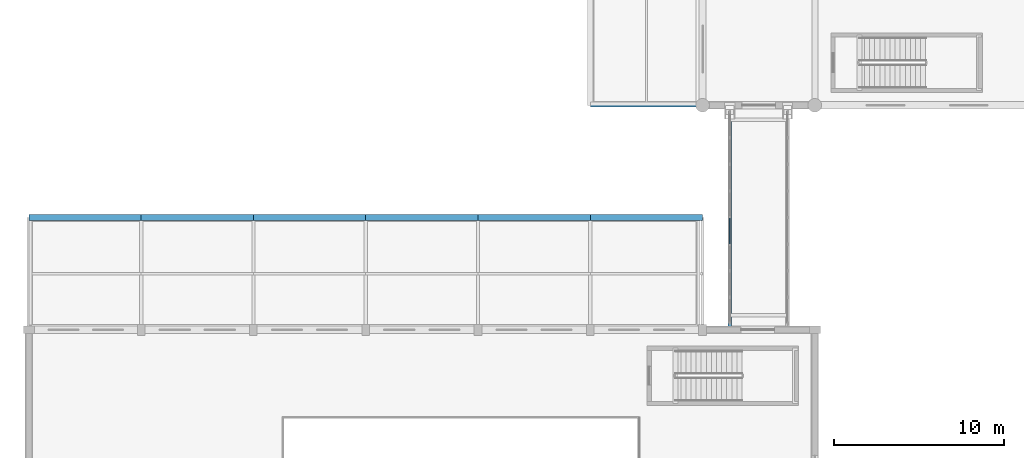
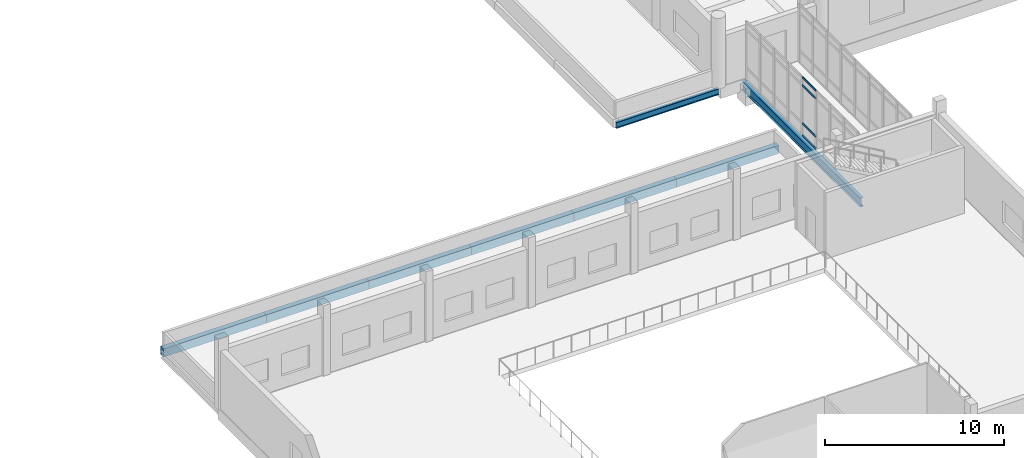
# One storey, part 17 of 125: 8 beams, 4 members, 1 element without a shape of its own.
"""IFC4 building model written with IfcOpenShell, lengths in metres."""

from ifc_helpers import new_model, si_unit, direction, frame, origin, origin_2d, place, context, subcontext, project, spatial, rectangle, i_section, extrude, material, material_profile, profile_set, type_object, element, aggregate, save


model = new_model("IFC4")

# Units and contexts
model_context = context("Model", 3, precision=1e-05, world=origin(), true_north=direction((0.0, 1.0)))
body_context = subcontext(model_context, "Body", "Model", "MODEL_VIEW")
ifc_project = project(units=[si_unit("LENGTHUNIT", "METRE"), si_unit("AREAUNIT", "SQUARE_METRE"), si_unit("VOLUMEUNIT", "CUBIC_METRE"), si_unit("PLANEANGLEUNIT", "RADIAN"), si_unit("MASSUNIT", "GRAM", prefix="KILO")], contexts=[model_context])

# Site, building, storey
site_placement = place(None, origin())
site = spatial("IfcSite", under=ifc_project, at=site_placement, CompositionType="ELEMENT")
building_placement = place(site_placement, origin())
building = spatial("IfcBuilding", under=site, at=building_placement, Name="Dornvale Research Institute", CompositionType="ELEMENT")
storey_placement = place(building_placement, frame((0.0, 0.0, 5.39990234375)))
storey = spatial("IfcBuildingStorey", under=building, at=storey_placement, Name="L01", CompositionType="ELEMENT", Elevation=5.39990234375)

# Beams
ifc_material_1 = material(Name="Steel ASTM A992 Grade 50", Category="steel")
ifc_material_profile_1 = material_profile(ifc_material_1, i_section(OverallWidth=0.178955078125, OverallDepth=0.409912109375, WebThickness=0.0087890625, FlangeThickness=0.014404296875, at=origin_2d()), Name="W16X45")
ifc_profile_set_1 = profile_set([ifc_material_profile_1], Name="Steel ASTM A992 Grade 50")
beam_type_1 = type_object("IfcBeamType", Name="Beam_Steel_W16X45_Canopy", PredefinedType="BEAM", material=ifc_profile_set_1)
beam_1_placement = place(storey_placement, frame((33.0, 39.60009765625, -0.40478515625), z_axis=(1.0, 0.0, 0.0), x_axis=(0.0, 1.0, 0.0)))
element("IfcBeam", 1, at=beam_1_placement, inside=storey, type_object=beam_type_1, Name="L01 entrance canopy rib #1881", PredefinedType="BEAM", context=body_context, shape_type="SweptSolid", body=[
    extrude(i_section(OverallWidth=0.178955078125, OverallDepth=0.409912109375, WebThickness=0.0087890625, FlangeThickness=0.014404296875, at=origin_2d()), origin(), (0.0, 0.0, 1.0), 6.60009765625),
])
ifc_material_2 = material(Name="Steel ASTM A992 Grade 50", Category="steel")
ifc_material_profile_2 = material_profile(ifc_material_2, i_section(OverallWidth=0.22900390625, OverallDepth=0.612060546875, WebThickness=0.011962890625, FlangeThickness=0.01953125, at=origin_2d()), Name="W24X84")
ifc_profile_set_2 = profile_set([ifc_material_profile_2], Name="Steel ASTM A992 Grade 50")
beam_type_2 = type_object("IfcBeamType", Name="Beam_Steel_W24X84_Bridge", PredefinedType="BEAM", material=ifc_profile_set_2)
beam_2_placement = place(storey_placement, frame((41.199951171875, 26.39990234375, -0.52587890625), z_axis=(0.0, 1.0, 0.0), x_axis=(-1.0, 0.0, 0.0)))
element("IfcBeam", 2, at=beam_2_placement, inside=storey, type_object=beam_type_2, Name="L01 BR-1 west girder #2007", PredefinedType="BEAM", context=body_context, shape_type="SweptSolid", body=[
    extrude(i_section(OverallWidth=0.22900390625, OverallDepth=0.612060546875, WebThickness=0.011962890625, FlangeThickness=0.01953125, at=origin_2d()), origin(), (0.0, 0.0, 1.0), 13.2001953125),
])
ifc_material_3 = material(Name="Concrete f'c 45 MPa (C35/45)", Category="concrete")
ifc_material_profile_3 = material_profile(ifc_material_3, rectangle(XDim=0.35009765625, YDim=0.550048828125, at=origin_2d()), Name="RC 350x550")
ifc_profile_set_3 = profile_set([ifc_material_profile_3], Name="Concrete f'c 45 MPa (C35/45)")
beam_type_3 = type_object("IfcBeamType", Name="Lintel_RC350x550_Arch", PredefinedType="LINTEL", material=ifc_profile_set_3)
beam_3_placement = place(storey_placement, frame((0.0, 33.0, -0.27490234375), z_axis=(1.0, 0.0, 0.0), x_axis=(0.0, 1.0, 0.0)))
element("IfcBeam", 3, at=beam_3_placement, inside=storey, type_object=beam_type_3, Name="L01 colonnade arch lintel #1815", PredefinedType="LINTEL", context=body_context, shape_type="SweptSolid", body=[
    extrude(rectangle(XDim=0.35009765625, YDim=0.550048828125, at=origin_2d()), origin(), (0.0, 0.0, 1.0), 6.60009765625),
])
beam_4_placement = place(storey_placement, frame((6.60009765625, 33.0, -0.27490234375), z_axis=(1.0, 0.0, 0.0), x_axis=(0.0, 1.0, 0.0)))
element("IfcBeam", 4, at=beam_4_placement, inside=storey, type_object=beam_type_3, Name="L01 colonnade arch lintel #1817", PredefinedType="LINTEL", context=body_context, shape_type="SweptSolid", body=[
    extrude(rectangle(XDim=0.35009765625, YDim=0.550048828125, at=origin_2d()), origin(), (0.0, 0.0, 1.0), 6.599853515625),
])
beam_5_placement = place(storey_placement, frame((13.199951171875, 33.0, -0.27490234375), z_axis=(1.0, 0.0, 0.0), x_axis=(0.0, 1.0, 0.0)))
element("IfcBeam", 5, at=beam_5_placement, inside=storey, type_object=beam_type_3, Name="L01 colonnade arch lintel #1819", PredefinedType="LINTEL", context=body_context, shape_type="SweptSolid", body=[
    extrude(rectangle(XDim=0.35009765625, YDim=0.550048828125, at=origin_2d()), origin(), (0.0, 0.0, 1.0), 6.60009765625),
])
beam_6_placement = place(storey_placement, frame((19.800048828125, 33.0, -0.27490234375), z_axis=(1.0, 0.0, 0.0), x_axis=(0.0, 1.0, 0.0)))
element("IfcBeam", 6, at=beam_6_placement, inside=storey, type_object=beam_type_3, Name="L01 colonnade arch lintel #1821", PredefinedType="LINTEL", context=body_context, shape_type="SweptSolid", body=[
    extrude(rectangle(XDim=0.35009765625, YDim=0.550048828125, at=origin_2d()), origin(), (0.0, 0.0, 1.0), 6.599853515625),
])
for number, where, z_axis, x_axis, name in (
    (7, (26.39990234375, 33.0, -0.27490234375), (1.0, 0.0, 0.0), (0.0, 1.0, 0.0), "L01 colonnade arch lintel #1823"),
    (8, (33.0, 33.0, -0.27490234375), (1.0, 0.0, 0.0), (0.0, 1.0, 0.0), "L01 colonnade arch lintel #1825"),
):
    element("IfcBeam", number, at=place(storey_placement, frame(where, z_axis=z_axis, x_axis=x_axis)), inside=storey, type_object=beam_type_3, Name=name, PredefinedType="LINTEL", context=body_context, shape_type="SweptSolid", body=[
        extrude(rectangle(XDim=0.35009765625, YDim=0.550048828125, at=origin_2d()), origin(), (0.0, 0.0, 1.0), 6.60009765625),
    ])

# Curtain wall, members
ifc_material_4 = material(Name="Low-E Argon Double Insulating Glazing Unit", Category="glass")
curtain_wall_type = type_object("IfcCurtainWallType", Name="UnitisedCurtainWall_V2_12500x4000", PredefinedType="USERDEFINED", material=ifc_material_4)
curtain_wall_placement = place(storey_placement, origin())
curtain_wall = element("IfcCurtainWall", 9, at=curtain_wall_placement, inside=storey, type_object=curtain_wall_type, Name="L01 V2 unitised curtain wall CW-39 #203", ObjectType="UNITISED CURTAIN WALL", PredefinedType="USERDEFINED")
ifc_material_5 = material(Name="Anodized Aluminum AA 6063-T6 Thermally Broken Frame", Category="aluminium")
ifc_material_profile_4 = material_profile(ifc_material_5, rectangle(XDim=0.06494140625, YDim=0.135009765625, at=origin_2d()), Name="ALU TRANSOM 65x135")
ifc_profile_set_4 = profile_set([ifc_material_profile_4], Name="Anodized Aluminum AA 6063-T6 Thermally Broken Frame")
member_type = type_object("IfcMemberType", Name="Transom_CW_65x135", PredefinedType="USERDEFINED", material=ifc_profile_set_4)
member_1_placement = place(storey_placement, frame((41.199951171875, 31.469970703125, 0.03271484375), z_axis=(0.0, 1.0, 0.0), x_axis=(-1.0, 0.0, 0.0)))
member_1 = element("IfcMember", 10, at=member_1_placement, type_object=member_type, Name="CW-39 transom 4.1", ObjectType="TRANSOM", PredefinedType="USERDEFINED", context=body_context, shape_type="SweptSolid", body=[
    extrude(rectangle(XDim=0.06494140625, YDim=0.135009765625, at=origin_2d()), origin(), (0.0, 0.0, 1.0), 1.49755859375),
])
member_2_placement = place(storey_placement, frame((41.199951171875, 31.469970703125, 0.85009765625), z_axis=(0.0, 1.0, 0.0), x_axis=(-1.0, 0.0, 0.0)))
member_2 = element("IfcMember", 11, at=member_2_placement, type_object=member_type, Name="CW-39 transom 4.2", ObjectType="TRANSOM", PredefinedType="USERDEFINED", context=body_context, shape_type="SweptSolid", body=[
    extrude(rectangle(XDim=0.06494140625, YDim=0.135009765625, at=origin_2d()), origin(), (0.0, 0.0, 1.0), 1.49755859375),
])
member_3_placement = place(storey_placement, frame((41.199951171875, 31.469970703125, 3.4501953125), z_axis=(0.0, 1.0, 0.0), x_axis=(-1.0, 0.0, 0.0)))
member_3 = element("IfcMember", 12, at=member_3_placement, type_object=member_type, Name="CW-39 transom 4.3", ObjectType="TRANSOM", PredefinedType="USERDEFINED", context=body_context, shape_type="SweptSolid", body=[
    extrude(rectangle(XDim=0.06494140625, YDim=0.135009765625, at=origin_2d()), origin(), (0.0, 0.0, 1.0), 1.49755859375),
])
member_4_placement = place(storey_placement, frame((41.199951171875, 31.469970703125, 3.967529296875), z_axis=(0.0, 1.0, 0.0), x_axis=(-1.0, 0.0, 0.0)))
member_4 = element("IfcMember", 13, at=member_4_placement, type_object=member_type, Name="CW-39 transom 4.4", ObjectType="TRANSOM", PredefinedType="USERDEFINED", context=body_context, shape_type="SweptSolid", body=[
    extrude(rectangle(XDim=0.06494140625, YDim=0.135009765625, at=origin_2d()), origin(), (0.0, 0.0, 1.0), 1.49755859375),
])
aggregate(curtain_wall, [member_1, member_2, member_3, member_4])

save(model, "model.ifc")
